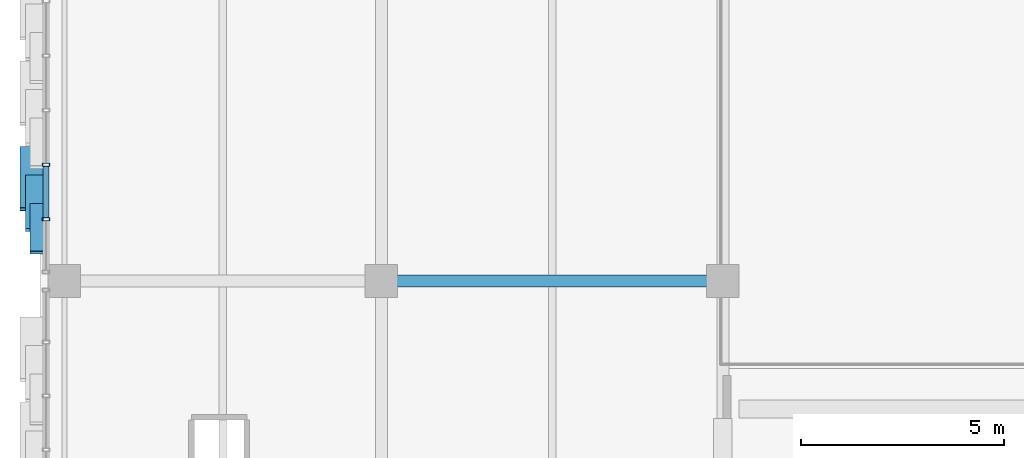
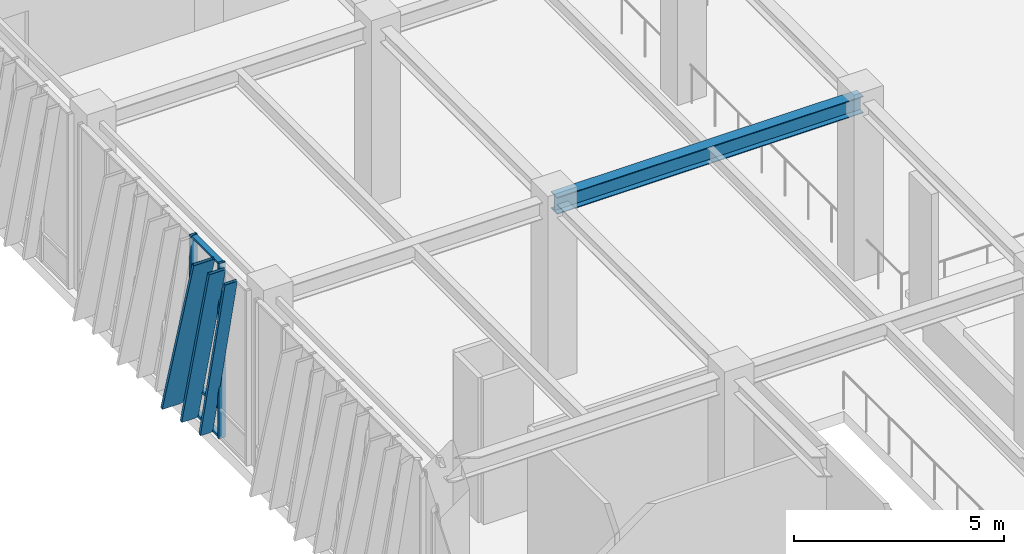
# One storey, part 41 of 139: 8 members, 1 beam, 1 element without a shape of its own.
"""IFC4 building model written with IfcOpenShell, lengths in metres."""

from ifc_helpers import new_model, si_unit, direction, frame, origin, origin_2d, place, context, subcontext, project, spatial, hollow_rectangle, i_section, extrude, material, layer, layer_set, material_profile, profile_set, type_object, element, aggregate, save


model = new_model("IFC4")

# Units and contexts
model_context = context("Model", 3, precision=1e-05, world=origin(), true_north=direction((0.0, 1.0)))
body_context = subcontext(model_context, "Body", "Model", "MODEL_VIEW")
ifc_project = project(units=[si_unit("LENGTHUNIT", "METRE"), si_unit("AREAUNIT", "SQUARE_METRE"), si_unit("VOLUMEUNIT", "CUBIC_METRE"), si_unit("PLANEANGLEUNIT", "RADIAN"), si_unit("MASSUNIT", "GRAM", prefix="KILO")], contexts=[model_context])

# Site, building, storey
site_placement = place(None, origin())
site = spatial("IfcSite", under=ifc_project, at=site_placement, CompositionType="ELEMENT")
building_placement = place(site_placement, origin())
building = spatial("IfcBuilding", under=site, at=building_placement, Name="Zayran Congress Hotel", CompositionType="ELEMENT")
storey_placement = place(building_placement, frame((0.0, 0.0, 5.39990234375)))
storey = spatial("IfcBuildingStorey", under=building, at=storey_placement, Name="L01", CompositionType="ELEMENT", Elevation=5.39990234375)

# Beam
ifc_material_1 = material(Name="Steel S355", Category="steel")
ifc_material_profile_1 = material_profile(ifc_material_1, i_section(OverallWidth=0.300048828125, OverallDepth=0.489990234375, WebThickness=0.011962890625, FlangeThickness=0.02294921875, at=origin_2d()), Name="HEA 500")
ifc_profile_set_1 = profile_set([ifc_material_profile_1], Name="Steel S355")
beam_type = type_object("IfcBeamType", Name="TP-BM-05", PredefinedType="BEAM", material=ifc_profile_set_1)
beam_placement = place(storey_placement, frame((16.800048828125, 92.800048828125, 4.835205078125), z_axis=(1.0, 0.0, 0.0), x_axis=(0.0, 1.0, 0.0)))
element("IfcBeam", 1, at=beam_placement, inside=storey, type_object=beam_type, Name="BM-V1-L01-0544", PredefinedType="BEAM", context=body_context, shape_type="SweptSolid", body=[
    extrude(i_section(OverallWidth=0.300048828125, OverallDepth=0.489990234375, WebThickness=0.011962890625, FlangeThickness=0.02294921875, at=origin_2d()), origin(), (0.0, 0.0, 1.0), 8.39990234375),
])

# Curtain wall, members
ifc_material_2 = material(Name="Anodised aluminium and low-E insulated glass", Category="aluminium")
ifc_layer = layer(ifc_material_2, 0.179931640625)
ifc_layer_set = layer_set([ifc_layer], Name="Anodised aluminium and low-E insulated glass")
curtain_wall_type = type_object("IfcCurtainWallType", Name="CW-V1W-L01-CW-32-8040-5080", PredefinedType="USERDEFINED", material=ifc_layer_set)
curtain_wall_placement = place(storey_placement, origin())
curtain_wall = element("IfcCurtainWall", 2, at=curtain_wall_placement, inside=storey, type_object=curtain_wall_type, Name="CW-V1W-L01-3", ObjectType="CURTAIN WALL", PredefinedType="USERDEFINED")
ifc_material_3 = material(Name="Anodised aluminium framing", Category="aluminium")
ifc_material_profile_2 = material_profile(ifc_material_3, hollow_rectangle(XDim=0.080078125, YDim=0.179931640625, WallThickness=0.0048828125, at=origin_2d()), Name="RHS 180x80x5")
ifc_profile_set_2 = profile_set([ifc_material_profile_2], Name="Anodised aluminium framing")
member_type_1 = type_object("IfcMemberType", Name="TP-CWM-01", PredefinedType="MULLION", material=ifc_profile_set_2)
member_1_placement = place(storey_placement, frame((8.550048828125, 95.659912109375, 0.0), z_axis=(0.0, 0.0, 1.0), x_axis=(0.0, 1.0, 0.0)))
member_1 = element("IfcMember", 3, at=member_1_placement, type_object=member_type_1, Name="CW-V1W-L01-3-M04", PredefinedType="MULLION", context=body_context, shape_type="SweptSolid", body=[
    extrude(hollow_rectangle(XDim=0.080078125, YDim=0.179931640625, WallThickness=0.0048828125, at=origin_2d()), origin(), (0.0, 0.0, 1.0), 5.080078125),
])
member_2_placement = place(storey_placement, frame((8.550048828125, 94.320068359375, 0.0), z_axis=(0.0, 0.0, 1.0), x_axis=(0.0, 1.0, 0.0)))
member_2 = element("IfcMember", 4, at=member_2_placement, type_object=member_type_1, Name="CW-V1W-L01-3-M05", PredefinedType="MULLION", context=body_context, shape_type="SweptSolid", body=[
    extrude(hollow_rectangle(XDim=0.080078125, YDim=0.179931640625, WallThickness=0.0048828125, at=origin_2d()), origin(), (0.0, 0.0, 1.0), 5.080078125),
])
ifc_material_profile_3 = material_profile(ifc_material_3, hollow_rectangle(XDim=0.06005859375, YDim=0.14990234375, WallThickness=0.00390625, at=origin_2d()), Name="RHS 150x60x4")
ifc_profile_set_3 = profile_set([ifc_material_profile_3], Name="Anodised aluminium framing")
member_type_2 = type_object("IfcMemberType", Name="TP-CWT-01", PredefinedType="USERDEFINED", material=ifc_profile_set_3)
member_3_placement = place(storey_placement, frame((8.550048828125, 95.6201171875, 0.030029296875), z_axis=(0.0, -1.0, 0.0), x_axis=(0.0, 0.0, 1.0)))
member_3 = element("IfcMember", 5, at=member_3_placement, type_object=member_type_2, Name="CW-V1W-L01-3-T04-0", ObjectType="TRANSOM", PredefinedType="USERDEFINED", context=body_context, shape_type="SweptSolid", body=[
    extrude(hollow_rectangle(XDim=0.06005859375, YDim=0.14990234375, WallThickness=0.00390625, at=origin_2d()), origin(), (0.0, 0.0, 1.0), 1.260009765625),
])
member_4_placement = place(storey_placement, frame((8.550048828125, 95.6201171875, 0.840087890625), z_axis=(0.0, -1.0, 0.0), x_axis=(0.0, 0.0, 1.0)))
member_4 = element("IfcMember", 6, at=member_4_placement, type_object=member_type_2, Name="CW-V1W-L01-3-T04-1", ObjectType="TRANSOM", PredefinedType="USERDEFINED", context=body_context, shape_type="SweptSolid", body=[
    extrude(hollow_rectangle(XDim=0.06005859375, YDim=0.14990234375, WallThickness=0.00390625, at=origin_2d()), origin(), (0.0, 0.0, 1.0), 1.260009765625),
])
member_5_placement = place(storey_placement, frame((8.550048828125, 95.6201171875, 5.050048828125), z_axis=(0.0, -1.0, 0.0), x_axis=(0.0, 0.0, 1.0)))
member_5 = element("IfcMember", 7, at=member_5_placement, type_object=member_type_2, Name="CW-V1W-L01-3-T04-2", ObjectType="TRANSOM", PredefinedType="USERDEFINED", context=body_context, shape_type="SweptSolid", body=[
    extrude(hollow_rectangle(XDim=0.06005859375, YDim=0.14990234375, WallThickness=0.00390625, at=origin_2d()), origin(), (0.0, 0.0, 1.0), 1.260009765625),
])
ifc_material_4 = material(Name="Warm bronze anodised aluminium", Category="aluminium")
ifc_material_profile_4 = material_profile(ifc_material_4, hollow_rectangle(XDim=0.080078125, YDim=0.580078125, WallThickness=0.006103515625, at=origin_2d()), Name="RHS 580x80x6")
ifc_profile_set_4 = profile_set([ifc_material_profile_4], Name="Warm bronze anodised aluminium")
member_type_3 = type_object("IfcMemberType", Name="TP-RFN-01", PredefinedType="MULLION", material=ifc_profile_set_4)
member_6_placement = place(storey_placement, frame((8.199951171875, 96.070068359375, 0.0), z_axis=(0.0, -0.284031848834, 0.958814845968), x_axis=(0.0, 0.958814845968, 0.284031848834)))
member_6 = element("IfcMember", 8, at=member_6_placement, type_object=member_type_3, Name="Slanting Reed Mullion CW-32-07", PredefinedType="MULLION", context=body_context, shape_type="SweptSolid", body=[
    extrude(hollow_rectangle(XDim=0.080078125, YDim=0.580078125, WallThickness=0.006103515625, at=origin_2d()), origin(), (0.0, 0.0, 1.0), 5.29833984375),
])
ifc_material_profile_5 = material_profile(ifc_material_4, hollow_rectangle(XDim=0.080078125, YDim=0.449951171875, WallThickness=0.006103515625, at=origin_2d()), Name="RHS 450x80x6")
ifc_profile_set_5 = profile_set([ifc_material_profile_5], Name="Warm bronze anodised aluminium")
member_type_4 = type_object("IfcMemberType", Name="TP-RFN-02", PredefinedType="MULLION", material=ifc_profile_set_5)
member_7_placement = place(storey_placement, frame((8.264892578125, 95.3701171875, 0.0), z_axis=(0.0, -0.25040989041, 0.968139910749), x_axis=(0.0, 0.968139910749, 0.25040989041)))
member_7 = element("IfcMember", 9, at=member_7_placement, type_object=member_type_4, Name="Slanting Reed Mullion CW-32-08", PredefinedType="MULLION", context=body_context, shape_type="SweptSolid", body=[
    extrude(hollow_rectangle(XDim=0.080078125, YDim=0.449951171875, WallThickness=0.006103515625, at=origin_2d()), origin(), (0.0, 0.0, 1.0), 5.247314453125),
])
ifc_material_profile_6 = material_profile(ifc_material_4, hollow_rectangle(XDim=0.080078125, YDim=0.340087890625, WallThickness=0.006103515625, at=origin_2d()), Name="RHS 340x80x6")
ifc_profile_set_6 = profile_set([ifc_material_profile_6], Name="Warm bronze anodised aluminium")
member_type_5 = type_object("IfcMemberType", Name="TP-RFN-03", PredefinedType="MULLION", material=ifc_profile_set_6)
member_8_placement = place(storey_placement, frame((8.320068359375, 94.669921875, 0.0), z_axis=(0.0, -0.224910805794, 0.97437935602), x_axis=(0.0, 0.97437935602, 0.224910805794)))
member_8 = element("IfcMember", 10, at=member_8_placement, type_object=member_type_5, Name="Slanting Reed Mullion CW-32-09", PredefinedType="MULLION", context=body_context, shape_type="SweptSolid", body=[
    extrude(hollow_rectangle(XDim=0.080078125, YDim=0.340087890625, WallThickness=0.006103515625, at=origin_2d()), origin(), (0.0, 0.0, 1.0), 5.213623046875),
])
aggregate(curtain_wall, [member_1, member_2, member_3, member_4, member_5, member_6, member_7, member_8])

save(model, "model.ifc")
